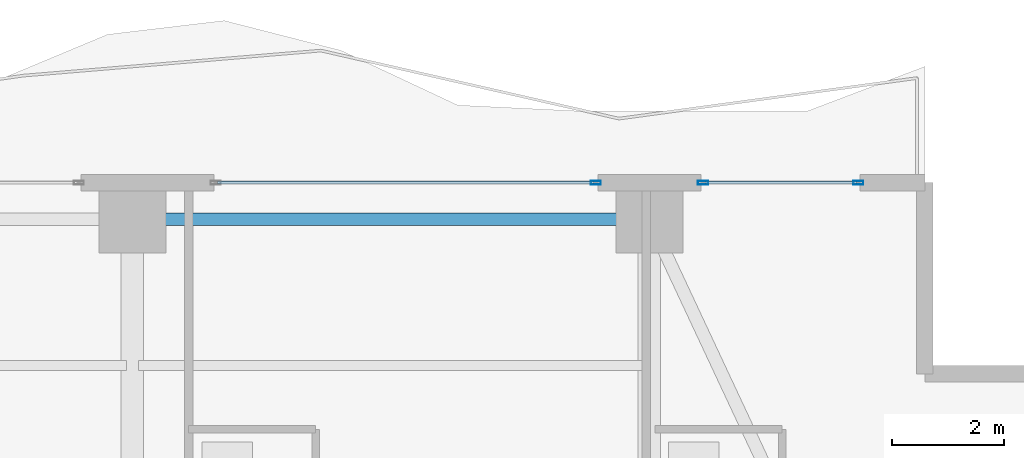
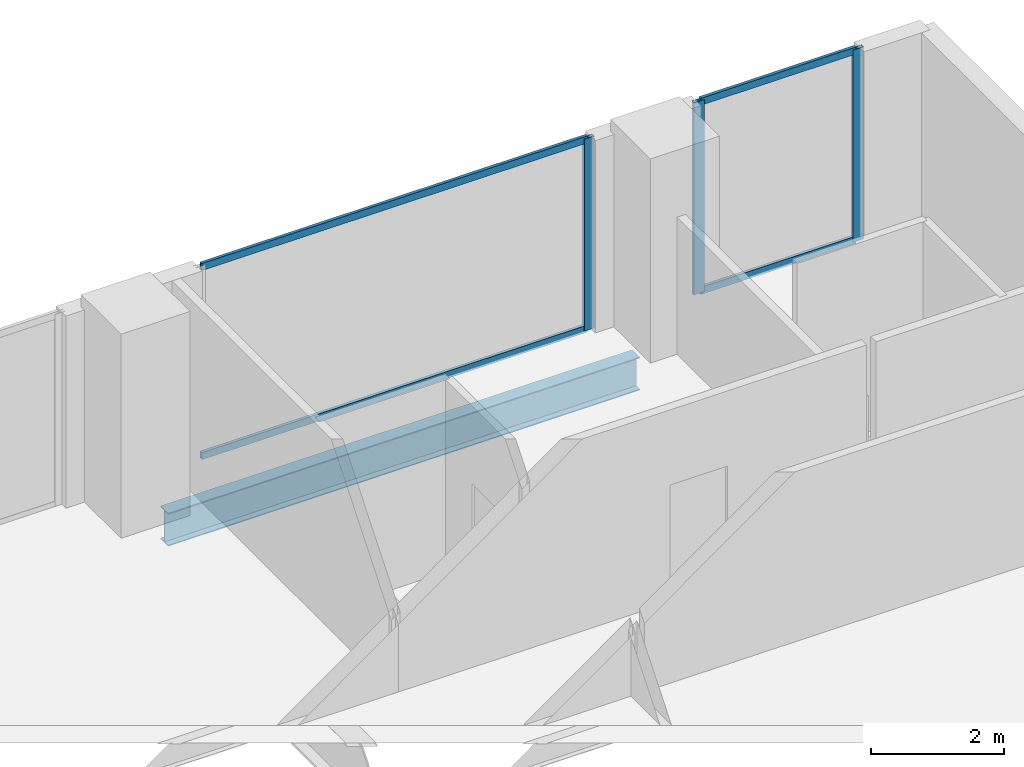
# One storey, part 22 of 32: 7 members, 1 beam, 2 elements without a shape of their own.
"""IFC4 building model written with IfcOpenShell, lengths in metres."""

from ifc_helpers import new_model, si_unit, direction, frame, origin, origin_2d, place, context, subcontext, project, spatial, hollow_rectangle, i_section, extrude, material, layer, layer_set, material_profile, profile_set, type_object, element, aggregate, save


model = new_model("IFC4")

# Units and contexts
model_context = context("Model", 3, precision=1e-05, world=origin(), true_north=direction((0.0, 1.0)))
body_context = subcontext(model_context, "Body", "Model", "MODEL_VIEW")
ifc_project = project(units=[si_unit("LENGTHUNIT", "METRE"), si_unit("AREAUNIT", "SQUARE_METRE"), si_unit("VOLUMEUNIT", "CUBIC_METRE"), si_unit("PLANEANGLEUNIT", "RADIAN"), si_unit("MASSUNIT", "GRAM", prefix="KILO")], contexts=[model_context])

# Site, building, storey
site_placement = place(None, origin())
site = spatial("IfcSite", under=ifc_project, at=site_placement, CompositionType="ELEMENT")
building_placement = place(site_placement, origin())
building = spatial("IfcBuilding", under=site, at=building_placement, Name="Zuhayl Quay Hotel", CompositionType="ELEMENT")
storey_placement = place(building_placement, frame((0.0, 0.0, 196.14990234375)))
storey = spatial("IfcBuildingStorey", under=building, at=storey_placement, Name="L49", CompositionType="ELEMENT", Elevation=196.14990234375)

# Beam
ifc_material_1 = material(Name="Steel ASTM A992 Grade 50", Category="steel")
ifc_material_profile_1 = material_profile(ifc_material_1, i_section(OverallWidth=0.22802734375, OverallDepth=0.60693359375, WebThickness=0.01123046875, FlangeThickness=0.017333984375, at=origin_2d()), Name="W24X76")
ifc_profile_set_1 = profile_set([ifc_material_profile_1], Name="Steel ASTM A992 Grade 50")
beam_type = type_object("IfcBeamType", Name="BM_B3_W24X76", PredefinedType="BEAM", material=ifc_profile_set_1)
beam_placement = place(storey_placement, frame((13.300048828125, 32.949951171875, -0.5234375), z_axis=(-1.0, 0.0, 0.0), x_axis=(0.0, -1.0, 0.0)))
element("IfcBeam", 1, at=beam_placement, inside=storey, type_object=beam_type, Name="L49 Floor Beam RG_L49_07", PredefinedType="BEAM", context=body_context, shape_type="SweptSolid", body=[
    extrude(i_section(OverallWidth=0.22802734375, OverallDepth=0.60693359375, WebThickness=0.01123046875, FlangeThickness=0.017333984375, at=origin_2d()), origin(), (0.0, 0.0, 1.0), 8.199951171875),
])

# Curtain wall, member
ifc_material_2 = material(Name="Anodised Aluminium 6063-T6", Category="aluminium")
ifc_layer = layer(ifc_material_2, 0.175048828125, Name="Anodised Aluminium 6063-T6", Category="aluminium")
ifc_layer_set = layer_set([ifc_layer], Name="Anodised Aluminium 6063-T6")
curtain_wall_type = type_object("IfcCurtainWallType", Name="CW_SYS_Z3", PredefinedType="USERDEFINED", material=ifc_layer_set)
curtain_wall_1_placement = place(storey_placement, origin())
curtain_wall_1 = element("IfcCurtainWall", 2, at=curtain_wall_1_placement, inside=storey, type_object=curtain_wall_type, Name="L49 Curtain Wall ENV_L49_N_CW5", ObjectType="UNITISED CURTAIN WALL", PredefinedType="USERDEFINED")
ifc_material_3 = material(Name="Black-anodised aluminium 6063-T6", Category="aluminium")
ifc_material_profile_2 = material_profile(ifc_material_3, hollow_rectangle(XDim=0.06494140625, YDim=0.179931640625, WallThickness=0.00341796875, at=origin_2d()), Name="ALU180X65")
ifc_profile_set_2 = profile_set([ifc_material_profile_2], Name="Black-anodised aluminium 6063-T6")
member_type_1 = type_object("IfcMemberType", Name="MB_CW_MUL_180", PredefinedType="MULLION", material=ifc_profile_set_2)
member_1_placement = place(storey_placement, frame((12.847412109375, 33.60009765625, 0.0), z_axis=(0.0, 0.0, 1.0), x_axis=(0.0, 1.0, 0.0)))
member_1 = element("IfcMember", 3, at=member_1_placement, type_object=member_type_1, Name="CW-Z3 mullion 2", PredefinedType="MULLION", context=body_context, shape_type="SweptSolid", body=[
    extrude(hollow_rectangle(XDim=0.06494140625, YDim=0.179931640625, WallThickness=0.00341796875, at=origin_2d()), origin(), (0.0, 0.0, 1.0), 3.530029296875),
])

# Curtain wall, members
curtain_wall_2_placement = place(storey_placement, origin())
curtain_wall_2 = element("IfcCurtainWall", 4, at=curtain_wall_2_placement, inside=storey, type_object=curtain_wall_type, Name="L49 Curtain Wall ENV_L49_N_CW6", ObjectType="UNITISED CURTAIN WALL", PredefinedType="USERDEFINED")
member_2_placement = place(storey_placement, frame((14.75244140625, 33.60009765625, 0.0), z_axis=(0.0, 0.0, 1.0), x_axis=(0.0, 1.0, 0.0)))
member_2 = element("IfcMember", 5, at=member_2_placement, type_object=member_type_1, Name="CW-Z3 mullion 1", PredefinedType="MULLION", context=body_context, shape_type="SweptSolid", body=[
    extrude(hollow_rectangle(XDim=0.06494140625, YDim=0.179931640625, WallThickness=0.00341796875, at=origin_2d()), origin(), (0.0, 0.0, 1.0), 3.530029296875),
])
member_3_placement = place(storey_placement, frame((17.517578125, 33.60009765625, 0.0), z_axis=(0.0, 0.0, 1.0), x_axis=(0.0, 1.0, 0.0)))
member_3 = element("IfcMember", 6, at=member_3_placement, type_object=member_type_1, Name="CW-Z3 mullion 2", PredefinedType="MULLION", context=body_context, shape_type="SweptSolid", body=[
    extrude(hollow_rectangle(XDim=0.06494140625, YDim=0.179931640625, WallThickness=0.00341796875, at=origin_2d()), origin(), (0.0, 0.0, 1.0), 3.530029296875),
])

# Member
ifc_material_profile_3 = material_profile(ifc_material_3, hollow_rectangle(XDim=0.054931640625, YDim=0.1298828125, WallThickness=0.0029296875, at=origin_2d()), Name="ALU130X55")
ifc_profile_set_3 = profile_set([ifc_material_profile_3], Name="Black-anodised aluminium 6063-T6")
member_type_2 = type_object("IfcMemberType", Name="MB_CW_TRN_130", PredefinedType="USERDEFINED", material=ifc_profile_set_3)
member_4_placement = place(storey_placement, frame((6.114990234375, 33.60009765625, 0.027587890625), z_axis=(1.0, 0.0, 0.0), x_axis=(0.0, 1.0, 0.0)))
member_4 = element("IfcMember", 7, at=member_4_placement, type_object=member_type_2, Name="CW-Z3 transom 1.1", ObjectType="TRANSOM", PredefinedType="USERDEFINED", context=body_context, shape_type="SweptSolid", body=[
    extrude(hollow_rectangle(XDim=0.054931640625, YDim=0.1298828125, WallThickness=0.0029296875, at=origin_2d()), origin(), (0.0, 0.0, 1.0), 6.699951171875),
])

member_5_placement = place(storey_placement, frame((6.114990234375, 33.60009765625, 3.502685546875), z_axis=(1.0, 0.0, 0.0), x_axis=(0.0, 1.0, 0.0)))
member_5 = element("IfcMember", 8, at=member_5_placement, type_object=member_type_2, Name="CW-Z3 transom 1.2", ObjectType="TRANSOM", PredefinedType="USERDEFINED", context=body_context, shape_type="SweptSolid", body=[
    extrude(hollow_rectangle(XDim=0.054931640625, YDim=0.1298828125, WallThickness=0.0029296875, at=origin_2d()), origin(), (0.0, 0.0, 1.0), 6.699951171875),
])

aggregate(curtain_wall_1, [member_1, member_4, member_5])

member_6_placement = place(storey_placement, frame((14.784912109375, 33.60009765625, 0.027587890625), z_axis=(1.0, 0.0, 0.0), x_axis=(0.0, 1.0, 0.0)))
member_6 = element("IfcMember", 9, at=member_6_placement, type_object=member_type_2, Name="CW-Z3 transom 1.1", ObjectType="TRANSOM", PredefinedType="USERDEFINED", context=body_context, shape_type="SweptSolid", body=[
    extrude(hollow_rectangle(XDim=0.054931640625, YDim=0.1298828125, WallThickness=0.0029296875, at=origin_2d()), origin(), (0.0, 0.0, 1.0), 2.7001953125),
])

member_7_placement = place(storey_placement, frame((14.784912109375, 33.60009765625, 3.502685546875), z_axis=(1.0, 0.0, 0.0), x_axis=(0.0, 1.0, 0.0)))
member_7 = element("IfcMember", 10, at=member_7_placement, type_object=member_type_2, Name="CW-Z3 transom 1.2", ObjectType="TRANSOM", PredefinedType="USERDEFINED", context=body_context, shape_type="SweptSolid", body=[
    extrude(hollow_rectangle(XDim=0.054931640625, YDim=0.1298828125, WallThickness=0.0029296875, at=origin_2d()), origin(), (0.0, 0.0, 1.0), 2.7001953125),
])

aggregate(curtain_wall_2, [member_2, member_3, member_6, member_7])

save(model, "model.ifc")
